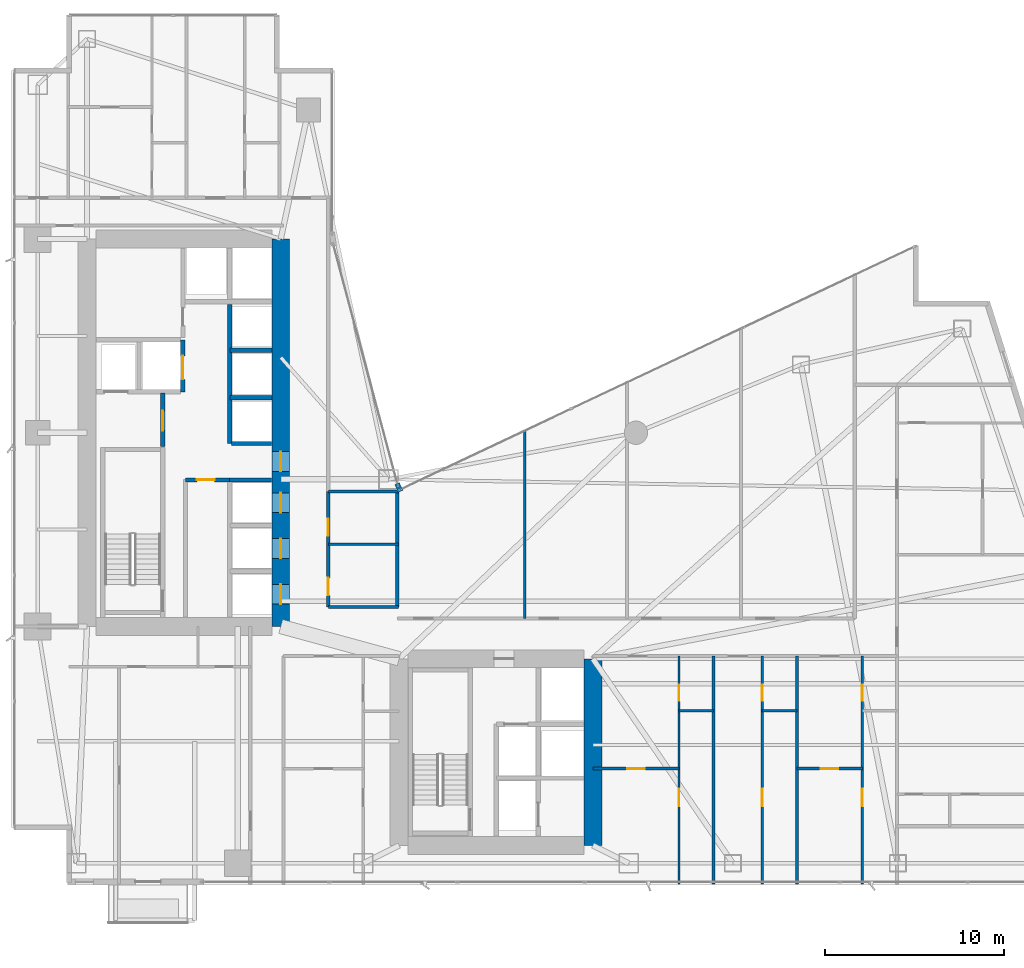
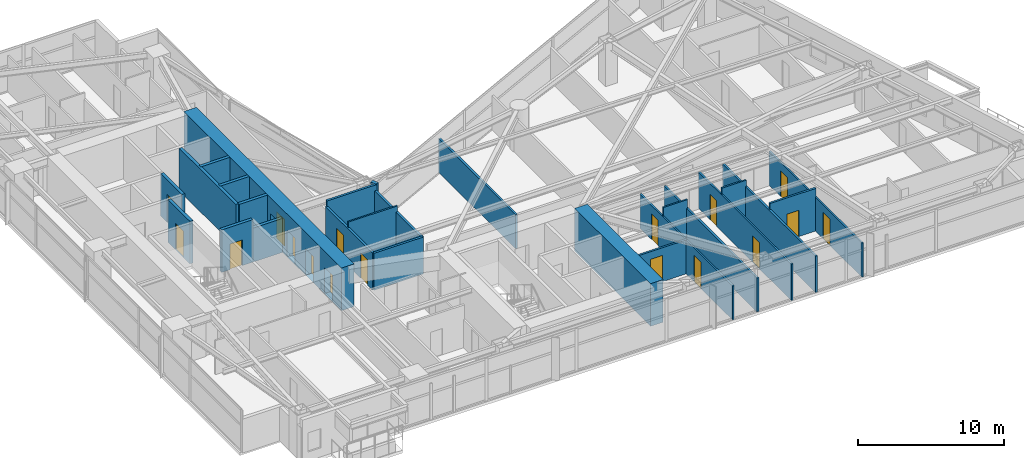
# One storey, part 23 of 30: 26 walls, 17 doors, 17 openings.
"""IFC4 building model written with IfcOpenShell, lengths in metres."""

from ifc_helpers import new_model, si_unit, direction, frame, frame_2d, origin, place, context, subcontext, project, spatial, rectangle, extrude, material, layer, layer_set, type_object, element, fill, save


model = new_model("IFC4")

# Units and contexts
model_context = context("Model", 3, precision=1e-05, world=origin(), true_north=direction((0.0, 1.0)))
body_context = subcontext(model_context, "Body", "Model", "MODEL_VIEW")
ifc_project = project(units=[si_unit("LENGTHUNIT", "METRE"), si_unit("AREAUNIT", "SQUARE_METRE"), si_unit("VOLUMEUNIT", "CUBIC_METRE"), si_unit("PLANEANGLEUNIT", "RADIAN"), si_unit("MASSUNIT", "GRAM", prefix="KILO")], contexts=[model_context])

# Site, building, storey
site_placement = place(None, origin())
site = spatial("IfcSite", under=ifc_project, at=site_placement, CompositionType="ELEMENT")
building_placement = place(site_placement, origin())
building = spatial("IfcBuilding", under=site, at=building_placement, Name="Calvorn Quay Hotel", CompositionType="ELEMENT")
storey_placement = place(building_placement, frame((0.0, 0.0, 54.60009765625)))
storey = spatial("IfcBuildingStorey", under=building, at=storey_placement, Name="L12", CompositionType="ELEMENT", Elevation=54.60009765625)

# Wall, openings, doors
ifc_material_1 = material(Name="Concrete C60", Category="concrete")
ifc_layer_1 = layer(ifc_material_1, 1.0)
ifc_layer_set_1 = layer_set([ifc_layer_1], Name="WL-CORE-1000")
wall_type_1 = type_object("IfcWallType", Name="WL-CORE-1000", PredefinedType="SHEAR", material=ifc_layer_set_1)
wall_1_placement = place(storey_placement, frame((15.0, 16.800048828125, 0.0), z_axis=(0.0, 0.0, 1.0), x_axis=(0.0, 1.0, 0.0)))
wall_1 = element("IfcWall", 1, at=wall_1_placement, inside=storey, type_object=wall_type_1, Name="West Core Shear Wall E (L12)", PredefinedType="SHEAR", context=body_context, shape_type="SweptSolid", body=[
    extrude(rectangle(XDim=21.599853515625, YDim=1.0, at=frame_2d((10.7998046875, 0.0))), origin(), (0.0, 0.0, 1.0), 3.559814453125),
])
opening_1_placement = place(wall_1_placement, frame((8.64990234375, 0.0, 0.0)))
opening_1 = element("IfcOpeningElement", 2, at=opening_1_placement, cuts=wall_1, Name="Opening D-L12-CW1", PredefinedType="OPENING", context=body_context, shape_type="SweptSolid", body=[
    extrude(rectangle(XDim=1.10009765625, YDim=2.199951171875, at=frame_2d((0.550048828125, 1.10009765625))), frame((0.0, 0.510009765625, 0.0), z_axis=(0.0, -1.0, 0.0), x_axis=(1.0, 0.0, 0.0)), (0.0, 0.0, 1.0), 1.02001953125),
])
opening_2_placement = place(wall_1_placement, frame((1.25, 0.0, 0.0)))
opening_2 = element("IfcOpeningElement", 3, at=opening_2_placement, cuts=wall_1, Name="Opening LD-L12-L1", PredefinedType="OPENING", context=body_context, shape_type="SweptSolid", body=[
    extrude(rectangle(XDim=1.10009765625, YDim=2.199951171875, at=frame_2d((0.550048828125, 1.10009765625))), frame((0.0, 0.510009765625, 0.0), z_axis=(0.0, -1.0, 0.0), x_axis=(1.0, 0.0, 0.0)), (0.0, 0.0, 1.0), 1.02001953125),
])
opening_3_placement = place(wall_1_placement, frame((3.800048828125, 0.0, 0.0)))
opening_3 = element("IfcOpeningElement", 4, at=opening_3_placement, cuts=wall_1, Name="Opening LD-L12-L2", PredefinedType="OPENING", context=body_context, shape_type="SweptSolid", body=[
    extrude(rectangle(XDim=1.10009765625, YDim=2.199951171875, at=frame_2d((0.550048828125, 1.10009765625))), frame((0.0, 0.510009765625, 0.0), z_axis=(0.0, -1.0, 0.0), x_axis=(1.0, 0.0, 0.0)), (0.0, 0.0, 1.0), 1.02001953125),
])
opening_4_placement = place(wall_1_placement, frame((6.35009765625, 0.0, 0.0)))
opening_4 = element("IfcOpeningElement", 5, at=opening_4_placement, cuts=wall_1, Name="Opening LD-L12-L3", PredefinedType="OPENING", context=body_context, shape_type="SweptSolid", body=[
    extrude(rectangle(XDim=1.10009765625, YDim=2.199951171875, at=frame_2d((0.550048828125, 1.10009765625))), frame((0.0, 0.510009765625, 0.0), z_axis=(0.0, -1.0, 0.0), x_axis=(1.0, 0.0, 0.0)), (0.0, 0.0, 1.0), 1.02001953125),
])
ifc_material_2 = material(Name="Smoke-Sealed Steel Class A Fire Door", Category="steel")
door_type_1 = type_object("IfcDoorType", Name="DR-FFLOBBY-1100", OperationType="NOTDEFINED", PredefinedType="DOOR", material=ifc_material_2)
door_1_placement = place(opening_1_placement, origin())
door_1 = element("IfcDoor", 6, at=door_1_placement, inside=storey, type_object=door_type_1, Name="West Core Vestibule Fire Door (L12)", OperationType="SINGLE_SWING_LEFT", OverallHeight=2.199951171875, OverallWidth=1.10009765625, PredefinedType="DOOR", context=body_context, shape_type="SweptSolid", body=[
    extrude(rectangle(XDim=1.10009765625, YDim=2.199951171875, at=frame_2d((0.550048828125, 1.10009765625))), frame((0.0, 0.02490234375, 0.0), z_axis=(0.0, -1.0, 0.0), x_axis=(1.0, 0.0, 0.0)), (0.0, 0.0, 1.0), 0.050048828125),
])
fill(opening_1, door_1)
ifc_material_3 = material(Name="Brushed Stainless Steel Sliding Lift Landing Door", Category="steel")
door_type_2 = type_object("IfcDoorType", Name="DR-LIFT-PASS-1100", OperationType="NOTDEFINED", PredefinedType="DOOR", material=ifc_material_3)
door_2_placement = place(opening_2_placement, origin())
door_2 = element("IfcDoor", 7, at=door_2_placement, inside=storey, type_object=door_type_2, Name="Low-Rise Lift PL-L1 Landing Door (L12)", OperationType="DOUBLE_DOOR_SLIDING", OverallHeight=2.199951171875, OverallWidth=1.10009765625, PredefinedType="DOOR", context=body_context, shape_type="SweptSolid", body=[
    extrude(rectangle(XDim=1.10009765625, YDim=2.199951171875, at=frame_2d((0.550048828125, 1.10009765625))), frame((0.0, 0.02490234375, 0.0), z_axis=(0.0, -1.0, 0.0), x_axis=(1.0, 0.0, 0.0)), (0.0, 0.0, 1.0), 0.050048828125),
])
fill(opening_2, door_2)
door_3_placement = place(opening_3_placement, origin())
door_3 = element("IfcDoor", 8, at=door_3_placement, inside=storey, type_object=door_type_2, Name="Low-Rise Lift PL-L2 Landing Door (L12)", OperationType="DOUBLE_DOOR_SLIDING", OverallHeight=2.199951171875, OverallWidth=1.10009765625, PredefinedType="DOOR", context=body_context, shape_type="SweptSolid", body=[
    extrude(rectangle(XDim=1.10009765625, YDim=2.199951171875, at=frame_2d((0.550048828125, 1.10009765625))), frame((0.0, 0.02490234375, 0.0), z_axis=(0.0, -1.0, 0.0), x_axis=(1.0, 0.0, 0.0)), (0.0, 0.0, 1.0), 0.050048828125),
])
fill(opening_3, door_3)
door_4_placement = place(opening_4_placement, origin())
door_4 = element("IfcDoor", 9, at=door_4_placement, inside=storey, type_object=door_type_2, Name="Low-Rise Lift PL-L3 Landing Door (L12)", OperationType="DOUBLE_DOOR_SLIDING", OverallHeight=2.199951171875, OverallWidth=1.10009765625, PredefinedType="DOOR", context=body_context, shape_type="SweptSolid", body=[
    extrude(rectangle(XDim=1.10009765625, YDim=2.199951171875, at=frame_2d((0.550048828125, 1.10009765625))), frame((0.0, 0.02490234375, 0.0), z_axis=(0.0, -1.0, 0.0), x_axis=(1.0, 0.0, 0.0)), (0.0, 0.0, 1.0), 0.050048828125),
])
fill(opening_4, door_4)

# Walls
wall_2_placement = place(storey_placement, frame((32.39990234375, 4.60009765625, 0.0), z_axis=(0.0, 0.0, 1.0), x_axis=(0.0, 1.0, 0.0)))
element("IfcWall", 10, at=wall_2_placement, inside=storey, type_object=wall_type_1, Name="East Core Shear Wall E (L12)", PredefinedType="SHEAR", context=body_context, shape_type="SweptSolid", body=[
    extrude(rectangle(XDim=10.39990234375, YDim=1.0, at=frame_2d((5.199951171875, 0.0))), origin(), (0.0, 0.0, 1.0), 3.559814453125),
])
ifc_material_4 = material(Name="Acoustic Fireboard Steel-Stud Partition", Category="steel")
ifc_layer_2 = layer(ifc_material_4, 0.179931640625)
ifc_layer_set_2 = layer_set([ifc_layer_2], Name="WL-CORR-FIRE-180")
wall_type_2 = type_object("IfcWallType", Name="WL-CORR-FIRE-180", PredefinedType="PARTITIONING", material=ifc_layer_set_2)
wall_3_placement = place(storey_placement, frame((17.64990234375, 17.8798828125, 0.0), z_axis=(0.0, 0.0, 1.0), x_axis=(1.0, 0.0, 0.0)))
element("IfcWall", 11, at=wall_3_placement, inside=storey, type_object=wall_type_2, Name="Partition Wall L12-WL-HK-S", PredefinedType="PARTITIONING", context=body_context, shape_type="SweptSolid", body=[
    extrude(rectangle(XDim=3.900146484375, YDim=0.179931640625, at=frame_2d((1.9501953125, 0.0))), origin(), (0.0, 0.0, 1.0), 3.08984375),
])
wall_4_placement = place(storey_placement, frame((17.64990234375, 24.320068359375, 0.0), z_axis=(0.0, 0.0, 1.0), x_axis=(1.0, 0.0, 0.0)))
element("IfcWall", 12, at=wall_4_placement, inside=storey, type_object=wall_type_2, Name="Partition Wall L12-WL-HK-N", PredefinedType="PARTITIONING", context=body_context, shape_type="SweptSolid", body=[
    extrude(rectangle(XDim=3.9501953125, YDim=0.179931640625, at=frame_2d((1.97509765625, 0.0))), origin(), (0.0, 0.0, 1.0), 3.559814453125),
])
wall_5_placement = place(storey_placement, frame((21.5, 17.8798828125, 0.0), z_axis=(0.0, 0.0, 1.0), x_axis=(0.0, 1.0, 0.0)))
element("IfcWall", 13, at=wall_5_placement, inside=storey, type_object=wall_type_2, Name="Partition Wall L12-WL-HK-E", PredefinedType="PARTITIONING", context=body_context, shape_type="SweptSolid", body=[
    extrude(rectangle(XDim=6.440185546875, YDim=0.179931640625, at=frame_2d((3.22021484375, 0.0))), origin(), (0.0, 0.0, 1.0), 3.08984375),
])

# Wall, openings, doors
wall_6_placement = place(storey_placement, frame((17.64990234375, 17.8798828125, 0.0), z_axis=(0.0, 0.0, 1.0), x_axis=(0.0, 1.0, 0.0)))
wall_6 = element("IfcWall", 14, at=wall_6_placement, inside=storey, type_object=wall_type_2, Name="Partition Wall L12-WL-HK-W", PredefinedType="PARTITIONING", context=body_context, shape_type="SweptSolid", body=[
    extrude(rectangle(XDim=6.440185546875, YDim=0.179931640625, at=frame_2d((3.22021484375, 0.0))), origin(), (0.0, 0.0, 1.0), 3.08984375),
])
opening_5_placement = place(wall_6_placement, frame((0.64990234375, 0.0, 0.0)))
opening_5 = element("IfcOpeningElement", 15, at=opening_5_placement, cuts=wall_6, Name="Opening D-L12-HK", PredefinedType="OPENING", context=body_context, shape_type="SweptSolid", body=[
    extrude(rectangle(XDim=0.97998046875, YDim=2.14990234375, at=frame_2d((0.489990234375, 1.074951171875))), frame((0.0, 0.099853515625, 0.0), z_axis=(0.0, -1.0, 0.0), x_axis=(1.0, 0.0, 0.0)), (0.0, 0.0, 1.0), 0.199951171875),
])
opening_6_placement = place(wall_6_placement, frame((3.969970703125, 0.0, 0.0)))
opening_6 = element("IfcOpeningElement", 16, at=opening_6_placement, cuts=wall_6, Name="Opening D-L12-NCP", PredefinedType="OPENING", context=body_context, shape_type="SweptSolid", body=[
    extrude(rectangle(XDim=0.9599609375, YDim=2.199951171875, at=frame_2d((0.47998046875, 1.10009765625))), frame((0.0, 0.099853515625, 0.0), z_axis=(0.0, -1.0, 0.0), x_axis=(1.0, 0.0, 0.0)), (0.0, 0.0, 1.0), 0.199951171875),
])
ifc_material_5 = material(Name="Painted Steel Housekeeping/Riser Fire Door", Category="steel")
door_type_3 = type_object("IfcDoorType", Name="DR-SERVICE-980", OperationType="NOTDEFINED", PredefinedType="DOOR", material=ifc_material_5)
door_5_placement = place(opening_5_placement, origin())
door_5 = element("IfcDoor", 17, at=door_5_placement, inside=storey, type_object=door_type_3, Name="Floor Housekeeping Door (L12)", OperationType="SINGLE_SWING_LEFT", OverallHeight=2.14990234375, OverallWidth=0.97998046875, PredefinedType="DOOR", context=body_context, shape_type="SweptSolid", body=[
    extrude(rectangle(XDim=0.97998046875, YDim=2.14990234375, at=frame_2d((0.489990234375, 1.074951171875))), frame((0.0, 0.02490234375, 0.0), z_axis=(0.0, -1.0, 0.0), x_axis=(1.0, 0.0, 0.0)), (0.0, 0.0, 1.0), 0.050048828125),
])
fill(opening_5, door_5)
ifc_material_6 = material(Name="Solid Timber Internal Suite Door", Category="wood")
door_type_4 = type_object("IfcDoorType", Name="DR-SUITE-INT-960", OperationType="NOTDEFINED", PredefinedType="DOOR", material=ifc_material_6)
door_6_placement = place(opening_6_placement, origin())
door_6 = element("IfcDoor", 18, at=door_6_placement, inside=storey, type_object=door_type_4, Name="Reading Alcove Door (L12)", OperationType="SINGLE_SWING_RIGHT", OverallHeight=2.199951171875, OverallWidth=0.9599609375, PredefinedType="DOOR", context=body_context, shape_type="SweptSolid", body=[
    extrude(rectangle(XDim=0.9599609375, YDim=2.199951171875, at=frame_2d((0.47998046875, 1.10009765625))), frame((0.0, 0.02490234375, 0.0), z_axis=(0.0, -1.0, 0.0), x_axis=(1.0, 0.0, 0.0)), (0.0, 0.0, 1.0), 0.050048828125),
])
fill(opening_6, door_6)

# Walls
ifc_material_7 = material(Name="Moisture-Resistant Tile-Backed Partition")
ifc_layer_3 = layer(ifc_material_7, 0.125)
ifc_layer_set_3 = layer_set([ifc_layer_3], Name="WL-ENSUITE-125")
wall_type_3 = type_object("IfcWallType", Name="WL-ENSUITE-125", PredefinedType="PARTITIONING", material=ifc_layer_set_3)
wall_7_placement = place(storey_placement, frame((17.64990234375, 21.3798828125, 0.0), z_axis=(0.0, 0.0, 1.0), x_axis=(1.0, 0.0, 0.0)))
element("IfcWall", 19, at=wall_7_placement, inside=storey, type_object=wall_type_3, Name="Partition Wall L12-WL-HK-M", PredefinedType="PARTITIONING", context=body_context, shape_type="SweptSolid", body=[
    extrude(rectangle(XDim=3.900146484375, YDim=0.125, at=frame_2d((1.9501953125, 0.0))), origin(), (0.0, 0.0, 1.0), 3.559814453125),
])
wall_8_placement = place(storey_placement, frame((37.199951171875, 12.10009765625, 0.0), z_axis=(0.0, 0.0, 1.0), x_axis=(1.0, 0.0, 0.0)))
element("IfcWall", 20, at=wall_8_placement, inside=storey, type_object=wall_type_3, Name="Partition Wall L12-WL-U05-BDV", PredefinedType="PARTITIONING", context=body_context, shape_type="SweptSolid", body=[
    extrude(rectangle(XDim=1.929931640625, YDim=0.125, at=frame_2d((0.96484375, 0.0))), origin(), (0.0, 0.0, 1.0), 3.559814453125),
])

# Wall, openings, doors
wall_9_placement = place(storey_placement, frame((37.199951171875, 2.43994140625, 0.0), z_axis=(0.0, 0.0, 1.0), x_axis=(0.0, 1.0, 0.0)))
wall_9 = element("IfcWall", 21, at=wall_9_placement, inside=storey, type_object=wall_type_3, Name="Partition Wall L12-WL-U05-BV", PredefinedType="PARTITIONING", context=body_context, shape_type="SweptSolid", body=[
    extrude(rectangle(XDim=12.7099609375, YDim=0.125, at=frame_2d((6.35498046875, 0.0))), origin(), (0.0, 0.0, 1.0), 2.83984375),
])
opening_7_placement = place(wall_9_placement, frame((4.35009765625, 0.0, 0.0)))
opening_7 = element("IfcOpeningElement", 22, at=opening_7_placement, cuts=wall_9, Name="Opening D-L12-S05", PredefinedType="OPENING", context=body_context, shape_type="SweptSolid", body=[
    extrude(rectangle(XDim=0.9599609375, YDim=2.199951171875, at=frame_2d((0.47998046875, 1.10009765625))), frame((0.0, 0.072509765625, 0.0), z_axis=(0.0, -1.0, 0.0), x_axis=(1.0, 0.0, 0.0)), (0.0, 0.0, 1.0), 0.14501953125),
])
opening_8_placement = place(wall_9_placement, frame((10.2099609375, 0.0, 0.0)))
opening_8 = element("IfcOpeningElement", 23, at=opening_8_placement, cuts=wall_9, Name="Opening D-L12-E05", PredefinedType="OPENING", context=body_context, shape_type="SweptSolid", body=[
    extrude(rectangle(XDim=0.89990234375, YDim=2.14990234375, at=frame_2d((0.449951171875, 1.074951171875))), frame((0.0, 0.072509765625, 0.0), z_axis=(0.0, -1.0, 0.0), x_axis=(1.0, 0.0, 0.0)), (0.0, 0.0, 1.0), 0.14501953125),
])
ifc_material_8 = material(Name="Moisture-Sealed Timber En-Suite Door", Category="wood")
door_type_5 = type_object("IfcDoorType", Name="DR-ENSUITE-900", OperationType="NOTDEFINED", PredefinedType="DOOR", material=ifc_material_8)
door_7_placement = place(opening_8_placement, origin())
door_7 = element("IfcDoor", 24, at=door_7_placement, inside=storey, type_object=door_type_5, Name="En-Suite Door 05", OperationType="SINGLE_SWING_RIGHT", OverallHeight=2.14990234375, OverallWidth=0.89990234375, PredefinedType="DOOR", context=body_context, shape_type="SweptSolid", body=[
    extrude(rectangle(XDim=0.89990234375, YDim=2.14990234375, at=frame_2d((0.449951171875, 1.074951171875))), frame((0.0, 0.02490234375, 0.0), z_axis=(0.0, -1.0, 0.0), x_axis=(1.0, 0.0, 0.0)), (0.0, 0.0, 1.0), 0.050048828125),
])
fill(opening_8, door_7)
door_8_placement = place(opening_7_placement, origin())
door_8 = element("IfcDoor", 25, at=door_8_placement, inside=storey, type_object=door_type_4, Name="Executive Work Office Door 05", OperationType="SINGLE_SWING_LEFT", OverallHeight=2.199951171875, OverallWidth=0.9599609375, PredefinedType="DOOR", context=body_context, shape_type="SweptSolid", body=[
    extrude(rectangle(XDim=0.9599609375, YDim=2.199951171875, at=frame_2d((0.47998046875, 1.10009765625))), frame((0.0, 0.02490234375, 0.0), z_axis=(0.0, -1.0, 0.0), x_axis=(1.0, 0.0, 0.0)), (0.0, 0.0, 1.0), 0.050048828125),
])
fill(opening_7, door_8)

# Wall
wall_10_placement = place(storey_placement, frame((41.840087890625, 12.10009765625, 0.0), z_axis=(0.0, 0.0, 1.0), x_axis=(1.0, 0.0, 0.0)))
element("IfcWall", 26, at=wall_10_placement, inside=storey, type_object=wall_type_3, Name="Partition Wall L12-WL-U06-BDV", PredefinedType="PARTITIONING", context=body_context, shape_type="SweptSolid", body=[
    extrude(rectangle(XDim=1.929931640625, YDim=0.125, at=frame_2d((0.96484375, 0.0))), origin(), (0.0, 0.0, 1.0), 3.559814453125),
])

# Wall, openings, doors
wall_11_placement = place(storey_placement, frame((41.840087890625, 2.43994140625, 0.0), z_axis=(0.0, 0.0, 1.0), x_axis=(0.0, 1.0, 0.0)))
wall_11 = element("IfcWall", 27, at=wall_11_placement, inside=storey, type_object=wall_type_3, Name="Partition Wall L12-WL-U06-BV", PredefinedType="PARTITIONING", context=body_context, shape_type="SweptSolid", body=[
    extrude(rectangle(XDim=12.7099609375, YDim=0.125, at=frame_2d((6.35498046875, 0.0))), origin(), (0.0, 0.0, 1.0), 3.039794921875),
])
opening_9_placement = place(wall_11_placement, frame((4.35009765625, 0.0, 0.0)))
opening_9 = element("IfcOpeningElement", 28, at=opening_9_placement, cuts=wall_11, Name="Opening D-L12-S06", PredefinedType="OPENING", context=body_context, shape_type="SweptSolid", body=[
    extrude(rectangle(XDim=0.9599609375, YDim=2.199951171875, at=frame_2d((0.47998046875, 1.10009765625))), frame((0.0, 0.072509765625, 0.0), z_axis=(0.0, -1.0, 0.0), x_axis=(1.0, 0.0, 0.0)), (0.0, 0.0, 1.0), 0.14501953125),
])
opening_10_placement = place(wall_11_placement, frame((10.2099609375, 0.0, 0.0)))
opening_10 = element("IfcOpeningElement", 29, at=opening_10_placement, cuts=wall_11, Name="Opening D-L12-E06", PredefinedType="OPENING", context=body_context, shape_type="SweptSolid", body=[
    extrude(rectangle(XDim=0.89990234375, YDim=2.14990234375, at=frame_2d((0.449951171875, 1.074951171875))), frame((0.0, 0.072509765625, 0.0), z_axis=(0.0, -1.0, 0.0), x_axis=(1.0, 0.0, 0.0)), (0.0, 0.0, 1.0), 0.14501953125),
])
door_9_placement = place(opening_10_placement, origin())
door_9 = element("IfcDoor", 30, at=door_9_placement, inside=storey, type_object=door_type_5, Name="En-Suite Door 06", OperationType="SINGLE_SWING_RIGHT", OverallHeight=2.14990234375, OverallWidth=0.89990234375, PredefinedType="DOOR", context=body_context, shape_type="SweptSolid", body=[
    extrude(rectangle(XDim=0.89990234375, YDim=2.14990234375, at=frame_2d((0.449951171875, 1.074951171875))), frame((0.0, 0.02490234375, 0.0), z_axis=(0.0, -1.0, 0.0), x_axis=(1.0, 0.0, 0.0)), (0.0, 0.0, 1.0), 0.050048828125),
])
fill(opening_10, door_9)
door_10_placement = place(opening_9_placement, origin())
door_10 = element("IfcDoor", 31, at=door_10_placement, inside=storey, type_object=door_type_4, Name="Executive Work Office Door 06", OperationType="SINGLE_SWING_LEFT", OverallHeight=2.199951171875, OverallWidth=0.9599609375, PredefinedType="DOOR", context=body_context, shape_type="SweptSolid", body=[
    extrude(rectangle(XDim=0.9599609375, YDim=2.199951171875, at=frame_2d((0.47998046875, 1.10009765625))), frame((0.0, 0.02490234375, 0.0), z_axis=(0.0, -1.0, 0.0), x_axis=(1.0, 0.0, 0.0)), (0.0, 0.0, 1.0), 0.050048828125),
])
fill(opening_9, door_10)

wall_12_placement = place(storey_placement, frame((47.419921875, 2.43994140625, 0.0), z_axis=(0.0, 0.0, 1.0), x_axis=(0.0, 1.0, 0.0)))
wall_12 = element("IfcWall", 32, at=wall_12_placement, inside=storey, type_object=wall_type_3, Name="Partition Wall L12-WL-U07-BV", PredefinedType="PARTITIONING", context=body_context, shape_type="SweptSolid", body=[
    extrude(rectangle(XDim=12.7099609375, YDim=0.125, at=frame_2d((6.35498046875, 0.0))), origin(), (0.0, 0.0, 1.0), 2.83984375),
])
opening_11_placement = place(wall_12_placement, frame((4.35009765625, 0.0, 0.0)))
opening_11 = element("IfcOpeningElement", 33, at=opening_11_placement, cuts=wall_12, Name="Opening D-L12-S07", PredefinedType="OPENING", context=body_context, shape_type="SweptSolid", body=[
    extrude(rectangle(XDim=0.9599609375, YDim=2.199951171875, at=frame_2d((0.47998046875, 1.10009765625))), frame((0.0, 0.072509765625, 0.0), z_axis=(0.0, -1.0, 0.0), x_axis=(1.0, 0.0, 0.0)), (0.0, 0.0, 1.0), 0.14501953125),
])
opening_12_placement = place(wall_12_placement, frame((10.2099609375, 0.0, 0.0)))
opening_12 = element("IfcOpeningElement", 34, at=opening_12_placement, cuts=wall_12, Name="Opening D-L12-E07", PredefinedType="OPENING", context=body_context, shape_type="SweptSolid", body=[
    extrude(rectangle(XDim=0.89990234375, YDim=2.14990234375, at=frame_2d((0.449951171875, 1.074951171875))), frame((0.0, 0.072509765625, 0.0), z_axis=(0.0, -1.0, 0.0), x_axis=(1.0, 0.0, 0.0)), (0.0, 0.0, 1.0), 0.14501953125),
])
door_11_placement = place(opening_12_placement, origin())
door_11 = element("IfcDoor", 35, at=door_11_placement, inside=storey, type_object=door_type_5, Name="En-Suite Door 07", OperationType="SINGLE_SWING_RIGHT", OverallHeight=2.14990234375, OverallWidth=0.89990234375, PredefinedType="DOOR", context=body_context, shape_type="SweptSolid", body=[
    extrude(rectangle(XDim=0.89990234375, YDim=2.14990234375, at=frame_2d((0.449951171875, 1.074951171875))), frame((0.0, 0.02490234375, 0.0), z_axis=(0.0, -1.0, 0.0), x_axis=(1.0, 0.0, 0.0)), (0.0, 0.0, 1.0), 0.050048828125),
])
fill(opening_12, door_11)
door_12_placement = place(opening_11_placement, origin())
door_12 = element("IfcDoor", 36, at=door_12_placement, inside=storey, type_object=door_type_4, Name="Executive Work Office Door 07", OperationType="SINGLE_SWING_LEFT", OverallHeight=2.199951171875, OverallWidth=0.9599609375, PredefinedType="DOOR", context=body_context, shape_type="SweptSolid", body=[
    extrude(rectangle(XDim=0.9599609375, YDim=2.199951171875, at=frame_2d((0.47998046875, 1.10009765625))), frame((0.0, 0.02490234375, 0.0), z_axis=(0.0, -1.0, 0.0), x_axis=(1.0, 0.0, 0.0)), (0.0, 0.0, 1.0), 0.050048828125),
])
fill(opening_11, door_12)

# Wall
ifc_material_9 = material(Name="Concrete C40", Category="concrete")
ifc_layer_4 = layer(ifc_material_9, 0.320068359375)
ifc_layer_set_4 = layer_set([ifc_layer_4], Name="WL-EXT-SPANDREL-320")
wall_type_4 = type_object("IfcWallType", Name="WL-EXT-SPANDREL-320", PredefinedType="SOLIDWALL", material=ifc_layer_set_4)
wall_13_placement = place(storey_placement, frame((21.679931640625, 24.340087890625, 0.0), z_axis=(0.0, 0.0, 1.0), x_axis=(-0.40758134973, 0.913168901875, 0.0)))
element("IfcWall", 37, at=wall_13_placement, inside=storey, type_object=wall_type_4, Name="Inner Court Corner Pier L12-ICJ1", PredefinedType="SOLIDWALL", context=body_context, shape_type="SweptSolid", body=[
    extrude(rectangle(XDim=0.470703125, YDim=0.280029296875, at=frame_2d((0.2353515625, 0.0))), origin(), (0.0, 0.0, 1.0), 3.559814453125),
])

# Wall, opening, door
ifc_material_10 = material(Name="Double-Stud Acoustic Gypsum Partition")
ifc_layer_5 = layer(ifc_material_10, 0.159912109375)
ifc_layer_set_5 = layer_set([ifc_layer_5], Name="WL-INTERSUITE-160")
wall_type_5 = type_object("IfcWallType", Name="WL-INTERSUITE-160", PredefinedType="PARTITIONING", material=ifc_layer_set_5)
wall_14_placement = place(storey_placement, frame((32.39990234375, 8.8798828125, 0.0), z_axis=(0.0, 0.0, 1.0), x_axis=(1.0, 0.0, 0.0)))
wall_14 = element("IfcWall", 38, at=wall_14_placement, inside=storey, type_object=wall_type_5, Name="Partition Wall L12-WL-U05-MSP", PredefinedType="PARTITIONING", context=body_context, shape_type="SweptSolid", body=[
    extrude(rectangle(XDim=4.800048828125, YDim=0.159912109375, at=frame_2d((2.39990234375, 0.0))), origin(), (0.0, 0.0, 1.0), 2.83984375),
])
opening_13_placement = place(wall_14_placement, frame((1.919921875, 0.0, 0.0)))
opening_13 = element("IfcOpeningElement", 39, at=opening_13_placement, cuts=wall_14, Name="Opening D-L12-M05", PredefinedType="OPENING", context=body_context, shape_type="SweptSolid", body=[
    extrude(rectangle(XDim=0.9599609375, YDim=2.199951171875, at=frame_2d((0.47998046875, 1.10009765625))), frame((0.0, 0.08984375, 0.0), z_axis=(0.0, -1.0, 0.0), x_axis=(1.0, 0.0, 0.0)), (0.0, 0.0, 1.0), 0.179931640625),
])
door_13_placement = place(opening_13_placement, origin())
door_13 = element("IfcDoor", 40, at=door_13_placement, inside=storey, type_object=door_type_4, Name="Suite Bedroom Door 05", OperationType="SINGLE_SWING_LEFT", OverallHeight=2.199951171875, OverallWidth=0.9599609375, PredefinedType="DOOR", context=body_context, shape_type="SweptSolid", body=[
    extrude(rectangle(XDim=0.9599609375, YDim=2.199951171875, at=frame_2d((0.47998046875, 1.10009765625))), frame((0.0, 0.02490234375, 0.0), z_axis=(0.0, -1.0, 0.0), x_axis=(1.0, 0.0, 0.0)), (0.0, 0.0, 1.0), 0.050048828125),
])
fill(opening_13, door_13)

# Wall
wall_15_placement = place(storey_placement, frame((39.1298828125, 2.43994140625, 0.0), z_axis=(0.0, 0.0, 1.0), x_axis=(0.0, 1.0, 0.0)))
element("IfcWall", 41, at=wall_15_placement, inside=storey, type_object=wall_type_5, Name="Partition Wall L12-WL-SE-DIV-1", PredefinedType="PARTITIONING", context=body_context, shape_type="SweptSolid", body=[
    extrude(rectangle(XDim=12.7099609375, YDim=0.159912109375, at=frame_2d((6.35498046875, 0.0))), origin(), (0.0, 0.0, 1.0), 2.83984375),
])

# Wall, opening, door
wall_16_placement = place(storey_placement, frame((43.77001953125, 8.8798828125, 0.0), z_axis=(0.0, 0.0, 1.0), x_axis=(1.0, 0.0, 0.0)))
wall_16 = element("IfcWall", 42, at=wall_16_placement, inside=storey, type_object=wall_type_5, Name="Partition Wall L12-WL-U07-MSP", PredefinedType="PARTITIONING", context=body_context, shape_type="SweptSolid", body=[
    extrude(rectangle(XDim=3.64990234375, YDim=0.159912109375, at=frame_2d((1.824951171875, 0.0))), origin(), (0.0, 0.0, 1.0), 3.559814453125),
])
opening_14_placement = place(wall_16_placement, frame((1.340087890625, 0.0, 0.0)))
opening_14 = element("IfcOpeningElement", 43, at=opening_14_placement, cuts=wall_16, Name="Opening D-L12-M07", PredefinedType="OPENING", context=body_context, shape_type="SweptSolid", body=[
    extrude(rectangle(XDim=0.9599609375, YDim=2.199951171875, at=frame_2d((0.47998046875, 1.10009765625))), frame((0.0, 0.08984375, 0.0), z_axis=(0.0, -1.0, 0.0), x_axis=(1.0, 0.0, 0.0)), (0.0, 0.0, 1.0), 0.179931640625),
])
door_14_placement = place(opening_14_placement, origin())
door_14 = element("IfcDoor", 44, at=door_14_placement, inside=storey, type_object=door_type_4, Name="Suite Bedroom Door 07", OperationType="SINGLE_SWING_LEFT", OverallHeight=2.199951171875, OverallWidth=0.9599609375, PredefinedType="DOOR", context=body_context, shape_type="SweptSolid", body=[
    extrude(rectangle(XDim=0.9599609375, YDim=2.199951171875, at=frame_2d((0.47998046875, 1.10009765625))), frame((0.0, 0.02490234375, 0.0), z_axis=(0.0, -1.0, 0.0), x_axis=(1.0, 0.0, 0.0)), (0.0, 0.0, 1.0), 0.050048828125),
])
fill(opening_14, door_14)

# Walls
wall_17_placement = place(storey_placement, frame((43.77001953125, 2.43994140625, 0.0), z_axis=(0.0, 0.0, 1.0), x_axis=(0.0, 1.0, 0.0)))
element("IfcWall", 45, at=wall_17_placement, inside=storey, type_object=wall_type_5, Name="Partition Wall L12-WL-SE-DIV-2", PredefinedType="PARTITIONING", context=body_context, shape_type="SweptSolid", body=[
    extrude(rectangle(XDim=12.7099609375, YDim=0.159912109375, at=frame_2d((6.35498046875, 0.0))), origin(), (0.0, 0.0, 1.0), 3.039794921875),
])
wall_18_placement = place(storey_placement, frame((28.60009765625, 17.25, 0.0), z_axis=(0.0, 0.0, 1.0), x_axis=(0.0, 1.0, 0.0)))
element("IfcWall", 46, at=wall_18_placement, inside=storey, type_object=wall_type_5, Name="Partition Wall L12-WL-NE-DIV-1", PredefinedType="PARTITIONING", context=body_context, shape_type="SweptSolid", body=[
    extrude(rectangle(XDim=10.5400390625, YDim=0.159912109375, at=frame_2d((5.27001953125, 0.0))), origin(), (0.0, 0.0, 1.0), 2.83984375),
])
ifc_material_11 = material(Name="Concrete C40", Category="concrete")
ifc_layer_6 = layer(ifc_material_11, 0.239990234375)
ifc_layer_set_6 = layer_set([ifc_layer_6], Name="WL-SHAFT-240")
wall_type_6 = type_object("IfcWallType", Name="WL-SHAFT-240", PredefinedType="SOLIDWALL", material=ifc_layer_set_6)
for number, where, z_axis, x_axis, name in (
    (47, (12.179931640625, 29.550048828125, 0.0), (0.0, 0.0, 1.0), (1.0, 0.0, 0.0), "Lift Hoistway Divider Wall PLM12 (L12)"),
    (48, (12.179931640625, 32.199951171875, 0.0), (0.0, 0.0, 1.0), (1.0, 0.0, 0.0), "Lift Hoistway Divider Wall PLM23 (L12)"),
):
    element("IfcWall", number, at=place(storey_placement, frame(where, z_axis=z_axis, x_axis=x_axis)), inside=storey, type_object=wall_type_6, Name=name, PredefinedType="SOLIDWALL", context=body_context, shape_type="SweptSolid", body=[
        extrude(rectangle(XDim=2.320068359375, YDim=0.239990234375, at=frame_2d((1.16015625, 0.0))), origin(), (0.0, 0.0, 1.0), 3.559814453125),
    ])

# Wall, opening, door
wall_19_placement = place(storey_placement, frame((8.419921875, 26.820068359375, 0.0), z_axis=(0.0, 0.0, 1.0), x_axis=(0.0, 1.0, 0.0)))
wall_19 = element("IfcWall", 49, at=wall_19_placement, inside=storey, type_object=wall_type_6, Name="Partition Wall L12-WL-CWW-FFL-E", PredefinedType="SOLIDWALL", context=body_context, shape_type="SweptSolid", body=[
    extrude(rectangle(XDim=3.0, YDim=0.239990234375, at=frame_2d((1.5, 0.0))), origin(), (0.0, 0.0, 1.0), 3.559814453125),
])
opening_15_placement = place(wall_19_placement, frame((0.89990234375, 0.0, 0.0)))
opening_15 = element("IfcOpeningElement", 50, at=opening_15_placement, cuts=wall_19, Name="Opening D-L12-FLW", PredefinedType="OPENING", context=body_context, shape_type="SweptSolid", body=[
    extrude(rectangle(XDim=1.10009765625, YDim=2.199951171875, at=frame_2d((0.550048828125, 1.10009765625))), frame((0.0, 0.1298828125, 0.0), z_axis=(0.0, -1.0, 0.0), x_axis=(1.0, 0.0, 0.0)), (0.0, 0.0, 1.0), 0.260009765625),
])
door_15_placement = place(opening_15_placement, origin())
door_15 = element("IfcDoor", 51, at=door_15_placement, inside=storey, type_object=door_type_1, Name="West Firefighting Lobby Fire Door (L12)", OperationType="SINGLE_SWING_RIGHT", OverallHeight=2.199951171875, OverallWidth=1.10009765625, PredefinedType="DOOR", context=body_context, shape_type="SweptSolid", body=[
    extrude(rectangle(XDim=1.10009765625, YDim=2.199951171875, at=frame_2d((0.550048828125, 1.10009765625))), frame((0.0, 0.02490234375, 0.0), z_axis=(0.0, -1.0, 0.0), x_axis=(1.0, 0.0, 0.0)), (0.0, 0.0, 1.0), 0.050048828125),
])
fill(opening_15, door_15)

wall_20_placement = place(storey_placement, frame((9.5400390625, 29.8798828125, 0.0), z_axis=(0.0, 0.0, 1.0), x_axis=(0.0, 1.0, 0.0)))
wall_20 = element("IfcWall", 52, at=wall_20_placement, inside=storey, type_object=wall_type_6, Name="Partition Wall L12-WL-CWW-SLW-E", PredefinedType="SOLIDWALL", context=body_context, shape_type="SweptSolid", body=[
    extrude(rectangle(XDim=2.900146484375, YDim=0.239990234375, at=frame_2d((1.4501953125, 0.0))), origin(), (0.0, 0.0, 1.0), 3.559814453125),
])
opening_16_placement = place(wall_20_placement, frame((0.699951171875, 0.0, 0.0)))
opening_16 = element("IfcOpeningElement", 53, at=opening_16_placement, cuts=wall_20, Name="Opening LD-L12-SLW1", PredefinedType="OPENING", context=body_context, shape_type="SweptSolid", body=[
    extrude(rectangle(XDim=1.300048828125, YDim=2.35009765625, at=frame_2d((0.64990234375, 1.175048828125))), frame((0.0, 0.1298828125, 0.0), z_axis=(0.0, -1.0, 0.0), x_axis=(1.0, 0.0, 0.0)), (0.0, 0.0, 1.0), 0.260009765625),
])
ifc_material_12 = material(Name="Champagne-Bronze Sliding Express Lift Landing Door")
door_type_6 = type_object("IfcDoorType", Name="DR-LIFT-SHUTTLE-1300", OperationType="NOTDEFINED", PredefinedType="DOOR", material=ifc_material_12)
door_16_placement = place(opening_16_placement, origin())
door_16 = element("IfcDoor", 54, at=door_16_placement, inside=storey, type_object=door_type_6, Name="Service Lift SL-W1 Landing Door (L12)", OperationType="DOUBLE_DOOR_SLIDING", OverallHeight=2.35009765625, OverallWidth=1.300048828125, PredefinedType="DOOR", context=body_context, shape_type="SweptSolid", body=[
    extrude(rectangle(XDim=1.300048828125, YDim=2.35009765625, at=frame_2d((0.64990234375, 1.175048828125))), frame((0.0, 0.02490234375, 0.0), z_axis=(0.0, -1.0, 0.0), x_axis=(1.0, 0.0, 0.0)), (0.0, 0.0, 1.0), 0.050048828125),
])
fill(opening_16, door_16)

wall_21_placement = place(storey_placement, frame((9.679931640625, 24.969970703125, 0.0), z_axis=(0.0, 0.0, 1.0), x_axis=(1.0, 0.0, 0.0)))
wall_21 = element("IfcWall", 55, at=wall_21_placement, inside=storey, type_object=wall_type_6, Name="Partition Wall L12-WL-CWW-SER-N", PredefinedType="SOLIDWALL", context=body_context, shape_type="SweptSolid", body=[
    extrude(rectangle(XDim=2.469970703125, YDim=0.239990234375, at=frame_2d((1.23486328125, 0.0))), origin(), (0.0, 0.0, 1.0), 3.559814453125),
])
opening_17_placement = place(wall_21_placement, frame((0.64990234375, 0.0, 0.0)))
opening_17 = element("IfcOpeningElement", 56, at=opening_17_placement, cuts=wall_21, Name="Opening D-L12-CSR", PredefinedType="OPENING", context=body_context, shape_type="SweptSolid", body=[
    extrude(rectangle(XDim=0.97998046875, YDim=2.14990234375, at=frame_2d((0.489990234375, 1.074951171875))), frame((0.0, 0.1298828125, 0.0), z_axis=(0.0, -1.0, 0.0), x_axis=(1.0, 0.0, 0.0)), (0.0, 0.0, 1.0), 0.260009765625),
])
door_17_placement = place(opening_17_placement, origin())
door_17 = element("IfcDoor", 57, at=door_17_placement, inside=storey, type_object=door_type_3, Name="Core Service Closet Door (L12)", OperationType="SINGLE_SWING_LEFT", OverallHeight=2.14990234375, OverallWidth=0.97998046875, PredefinedType="DOOR", context=body_context, shape_type="SweptSolid", body=[
    extrude(rectangle(XDim=0.97998046875, YDim=2.14990234375, at=frame_2d((0.489990234375, 1.074951171875))), frame((0.0, 0.02490234375, 0.0), z_axis=(0.0, -1.0, 0.0), x_axis=(1.0, 0.0, 0.0)), (0.0, 0.0, 1.0), 0.050048828125),
])
fill(opening_17, door_17)

# Walls
wall_22_placement = place(storey_placement, frame((12.14990234375, 24.969970703125, 0.0), z_axis=(0.0, 0.0, 1.0), x_axis=(1.0, 0.0, 0.0)))
element("IfcWall", 58, at=wall_22_placement, inside=storey, type_object=wall_type_6, Name="Partition Wall L12-WL-CWW-PLL-SHN", PredefinedType="SOLIDWALL", context=body_context, shape_type="SweptSolid", body=[
    extrude(rectangle(XDim=2.330078125, YDim=0.239990234375, at=frame_2d((1.1650390625, 0.0))), origin(), (0.0, 0.0, 1.0), 2.83984375),
])
wall_23_placement = place(storey_placement, frame((12.25, 27.0, 0.0), z_axis=(0.0, 0.0, 1.0), x_axis=(1.0, 0.0, 0.0)))
element("IfcWall", 59, at=wall_23_placement, inside=storey, type_object=wall_type_6, Name="Partition Wall L12-WL-CWW-PLM-S", PredefinedType="SOLIDWALL", context=body_context, shape_type="SweptSolid", body=[
    extrude(rectangle(XDim=2.22998046875, YDim=0.239990234375, at=frame_2d((1.114990234375, 0.0))), origin(), (0.0, 0.0, 1.0), 3.559814453125),
])
wall_24_placement = place(storey_placement, frame((12.14990234375, 27.0, 0.0), z_axis=(0.0, 0.0, 1.0), x_axis=(0.0, 1.0, 0.0)))
element("IfcWall", 60, at=wall_24_placement, inside=storey, type_object=wall_type_6, Name="Partition Wall L12-WL-CWW-PLM-W", PredefinedType="SOLIDWALL", context=body_context, shape_type="SweptSolid", body=[
    extrude(rectangle(XDim=7.75, YDim=0.239990234375, at=frame_2d((3.875, 0.0))), origin(), (0.0, 0.0, 1.0), 3.559814453125),
])

save(model, "model.ifc")
